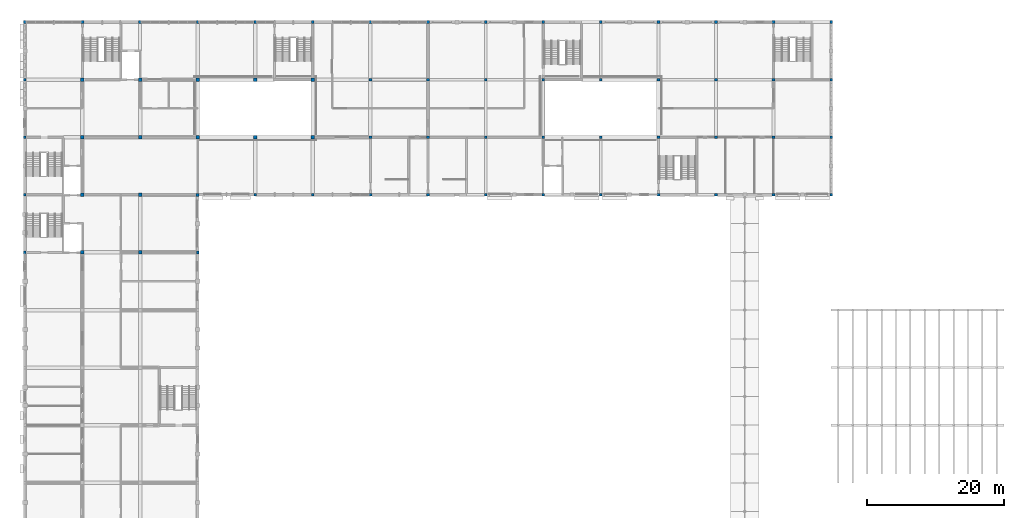
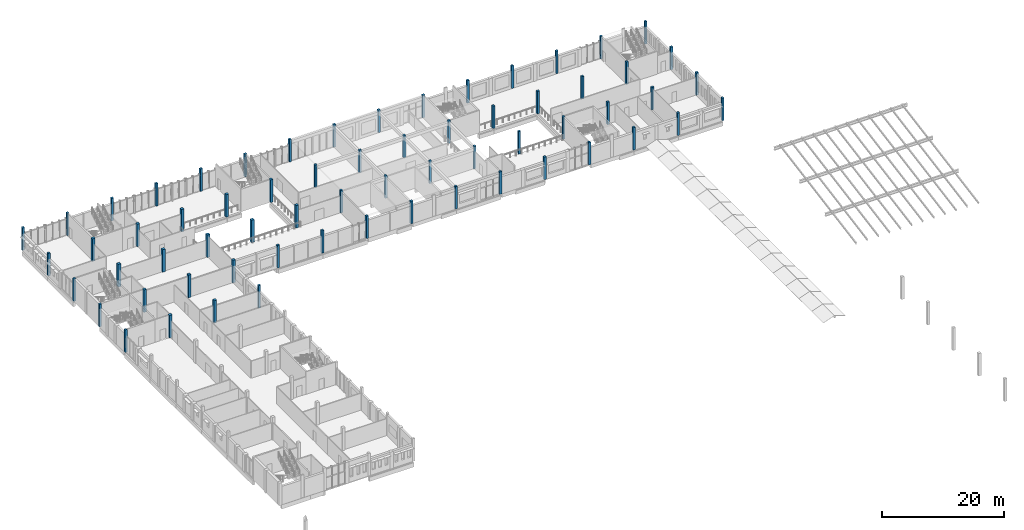
# One storey, part 2 of 38: 64 columns.
"""IFC4 building model written with IfcOpenShell, lengths in metres."""

from ifc_helpers import new_model, si_unit, direction, frame, origin, origin_2d, place, context, subcontext, project, spatial, rectangle, extrude, material, material_profile, profile_set, type_object, element, save


model = new_model("IFC4")

# Units and contexts
model_context = context("Model", 3, precision=1e-05, world=origin(), true_north=direction((0.0, 1.0)))
body_context = subcontext(model_context, "Body", "Model", "MODEL_VIEW")
ifc_project = project(units=[si_unit("LENGTHUNIT", "METRE"), si_unit("AREAUNIT", "SQUARE_METRE"), si_unit("VOLUMEUNIT", "CUBIC_METRE"), si_unit("PLANEANGLEUNIT", "RADIAN"), si_unit("MASSUNIT", "GRAM", prefix="KILO")], contexts=[model_context])

# Site, building, storey
site_placement = place(None, origin())
site = spatial("IfcSite", under=ifc_project, at=site_placement, CompositionType="ELEMENT")
building_placement = place(site_placement, origin())
building = spatial("IfcBuilding", under=site, at=building_placement, Name="Fescue Hill Polytechnic", CompositionType="ELEMENT")
storey_placement = place(building_placement, frame((0.0, 0.0, 18.0)))
storey = spatial("IfcBuildingStorey", under=building, at=storey_placement, Name="L04", CompositionType="ELEMENT", Elevation=18.0)

# Columns
ifc_material = material(Name="Concrete 40 MPa", Category="concrete")
ifc_material_profile_1 = material_profile(ifc_material, rectangle(XDim=0.39990234375, YDim=0.39990234375, at=origin_2d()), Name="RC 400x400")
ifc_profile_set_1 = profile_set([ifc_material_profile_1], Name="Concrete 40 MPa")
column_type_1 = type_object("IfcColumnType", Name="Column RC 400x400", PredefinedType="COLUMN", material=ifc_profile_set_1)
for number, where, z_axis, x_axis, name in (
    (1, (0.0, 100.800048828125, 0.0), (0.0, 0.0, 1.0), (1.0, 0.0, 0.0), "COL-L04-V4-006"),
    (2, (0.0, 109.199951171875, 0.0), (0.0, 0.0, 1.0), (1.0, 0.0, 0.0), "COL-L04-V4-007"),
    (3, (25.199951171875, 100.800048828125, 0.0), (0.0, 0.0, 1.0), (1.0, 0.0, 0.0), "COL-L04-V4-030"),
    (4, (0.0, 117.60009765625, 0.0), (0.0, 0.0, 1.0), (1.0, 0.0, 0.0), "COL-L04-V5-001"),
    (5, (0.0, 126.0, 0.0), (0.0, 0.0, 1.0), (1.0, 0.0, 0.0), "COL-L04-V5-002"),
    (6, (0.0, 134.39990234375, 0.0), (0.0, 0.0, 1.0), (1.0, 0.0, 0.0), "COL-L04-V5-003"),
    (7, (8.39990234375, 134.39990234375, 0.0), (0.0, 0.0, 1.0), (1.0, 0.0, 0.0), "COL-L04-V5-006"),
    (8, (16.800048828125, 134.39990234375, 0.0), (0.0, 0.0, 1.0), (1.0, 0.0, 0.0), "COL-L04-V5-009"),
    (9, (25.199951171875, 134.39990234375, 0.0), (0.0, 0.0, 1.0), (1.0, 0.0, 0.0), "COL-L04-V5-012"),
    (10, (33.60009765625, 109.199951171875, 0.0), (0.0, 0.0, 1.0), (1.0, 0.0, 0.0), "COL-L04-V5-013"),
    (11, (33.60009765625, 134.39990234375, 0.0), (0.0, 0.0, 1.0), (1.0, 0.0, 0.0), "COL-L04-V5-016"),
    (12, (42.0, 109.199951171875, 0.0), (0.0, 0.0, 1.0), (1.0, 0.0, 0.0), "COL-L04-V5-017"),
    (13, (42.0, 134.39990234375, 0.0), (0.0, 0.0, 1.0), (1.0, 0.0, 0.0), "COL-L04-V5-020"),
    (14, (50.39990234375, 109.199951171875, 0.0), (0.0, 0.0, 1.0), (1.0, 0.0, 0.0), "COL-L04-V5-021"),
    (15, (50.39990234375, 117.60009765625, 0.0), (0.0, 0.0, 1.0), (1.0, 0.0, 0.0), "COL-L04-V5-022"),
    (16, (50.39990234375, 126.0, 0.0), (0.0, 0.0, 1.0), (1.0, 0.0, 0.0), "COL-L04-V5-023"),
    (17, (50.39990234375, 134.39990234375, 0.0), (0.0, 0.0, 1.0), (1.0, 0.0, 0.0), "COL-L04-V5-024"),
    (18, (58.800048828125, 109.199951171875, 0.0), (0.0, 0.0, 1.0), (1.0, 0.0, 0.0), "COL-L04-V5-025"),
    (19, (58.800048828125, 117.60009765625, 0.0), (0.0, 0.0, 1.0), (1.0, 0.0, 0.0), "COL-L04-V5-026"),
    (20, (58.800048828125, 126.0, 0.0), (0.0, 0.0, 1.0), (1.0, 0.0, 0.0), "COL-L04-V5-027"),
    (21, (58.800048828125, 134.39990234375, 0.0), (0.0, 0.0, 1.0), (1.0, 0.0, 0.0), "COL-L04-V5-028"),
    (22, (67.199951171875, 109.199951171875, 0.0), (0.0, 0.0, 1.0), (1.0, 0.0, 0.0), "COL-L04-V4b-001"),
    (23, (67.199951171875, 117.60009765625, 0.0), (0.0, 0.0, 1.0), (1.0, 0.0, 0.0), "COL-L04-V4b-002"),
    (24, (67.199951171875, 126.0, 0.0), (0.0, 0.0, 1.0), (1.0, 0.0, 0.0), "COL-L04-V4b-003"),
    (25, (67.199951171875, 134.39990234375, 0.0), (0.0, 0.0, 1.0), (1.0, 0.0, 0.0), "COL-L04-V4b-004"),
    (26, (75.60009765625, 109.199951171875, 0.0), (0.0, 0.0, 1.0), (1.0, 0.0, 0.0), "COL-L04-V4b-005"),
    (27, (75.60009765625, 117.60009765625, 0.0), (0.0, 0.0, 1.0), (1.0, 0.0, 0.0), "COL-L04-V4b-006"),
    (28, (75.60009765625, 126.0, 0.0), (0.0, 0.0, 1.0), (1.0, 0.0, 0.0), "COL-L04-V4b-007"),
    (29, (75.60009765625, 134.39990234375, 0.0), (0.0, 0.0, 1.0), (1.0, 0.0, 0.0), "COL-L04-V4b-008"),
    (30, (84.0, 109.199951171875, 0.0), (0.0, 0.0, 1.0), (1.0, 0.0, 0.0), "COL-L04-V4b-009"),
    (31, (84.0, 117.60009765625, 0.0), (0.0, 0.0, 1.0), (1.0, 0.0, 0.0), "COL-L04-V4b-010"),
    (32, (84.0, 126.0, 0.0), (0.0, 0.0, 1.0), (1.0, 0.0, 0.0), "COL-L04-V4b-011"),
    (33, (84.0, 134.39990234375, 0.0), (0.0, 0.0, 1.0), (1.0, 0.0, 0.0), "COL-L04-V4b-012"),
    (34, (92.39990234375, 109.199951171875, 0.0), (0.0, 0.0, 1.0), (1.0, 0.0, 0.0), "COL-L04-V4b-013"),
    (35, (92.39990234375, 117.60009765625, 0.0), (0.0, 0.0, 1.0), (1.0, 0.0, 0.0), "COL-L04-V4b-014"),
    (36, (92.39990234375, 126.0, 0.0), (0.0, 0.0, 1.0), (1.0, 0.0, 0.0), "COL-L04-V4b-015"),
    (37, (92.39990234375, 134.39990234375, 0.0), (0.0, 0.0, 1.0), (1.0, 0.0, 0.0), "COL-L04-V4b-016"),
    (38, (100.800048828125, 109.199951171875, 0.0), (0.0, 0.0, 1.0), (1.0, 0.0, 0.0), "COL-L04-V4b-017"),
    (39, (100.800048828125, 117.60009765625, 0.0), (0.0, 0.0, 1.0), (1.0, 0.0, 0.0), "COL-L04-V4b-018"),
    (40, (100.800048828125, 126.0, 0.0), (0.0, 0.0, 1.0), (1.0, 0.0, 0.0), "COL-L04-V4b-019"),
    (41, (100.800048828125, 134.39990234375, 0.0), (0.0, 0.0, 1.0), (1.0, 0.0, 0.0), "COL-L04-V4b-020"),
    (42, (109.199951171875, 109.199951171875, 0.0), (0.0, 0.0, 1.0), (1.0, 0.0, 0.0), "COL-L04-V4b-021"),
    (43, (109.199951171875, 117.60009765625, 0.0), (0.0, 0.0, 1.0), (1.0, 0.0, 0.0), "COL-L04-V4b-022"),
    (44, (109.199951171875, 126.0, 0.0), (0.0, 0.0, 1.0), (1.0, 0.0, 0.0), "COL-L04-V4b-023"),
    (45, (109.199951171875, 134.39990234375, 0.0), (0.0, 0.0, 1.0), (1.0, 0.0, 0.0), "COL-L04-V4b-024"),
    (46, (117.60009765625, 109.199951171875, 0.0), (0.0, 0.0, 1.0), (1.0, 0.0, 0.0), "COL-L04-V4b-025"),
    (47, (117.60009765625, 117.60009765625, 0.0), (0.0, 0.0, 1.0), (1.0, 0.0, 0.0), "COL-L04-V4b-026"),
    (48, (117.60009765625, 126.0, 0.0), (0.0, 0.0, 1.0), (1.0, 0.0, 0.0), "COL-L04-V4b-027"),
    (49, (117.60009765625, 134.39990234375, 0.0), (0.0, 0.0, 1.0), (1.0, 0.0, 0.0), "COL-L04-V4b-028"),
):
    element("IfcColumn", number, at=place(storey_placement, frame(where, z_axis=z_axis, x_axis=x_axis)), inside=storey, type_object=column_type_1, Name=name, PredefinedType="COLUMN", context=body_context, shape_type="SweptSolid", body=[
        extrude(rectangle(XDim=0.39990234375, YDim=0.39990234375, at=origin_2d()), origin(), (0.0, 0.0, 1.0), 4.5),
    ])
ifc_material_profile_2 = material_profile(ifc_material, rectangle(XDim=0.449951171875, YDim=0.449951171875, at=origin_2d()), Name="RC 450x450")
ifc_profile_set_2 = profile_set([ifc_material_profile_2], Name="Concrete 40 MPa")
column_type_2 = type_object("IfcColumnType", Name="Column RC 450x450", PredefinedType="COLUMN", material=ifc_profile_set_2)
column_placement = place(storey_placement, frame((25.199951171875, 109.199951171875, 0.0), z_axis=(0.0, 0.0, 1.0), x_axis=(1.0, 0.0, 0.0)))
element("IfcColumn", 50, at=column_placement, inside=storey, type_object=column_type_2, Name="COL-L04-V4-031", PredefinedType="COLUMN", context=body_context, shape_type="SweptSolid", body=[
    extrude(rectangle(XDim=0.449951171875, YDim=0.449951171875, at=origin_2d()), origin(), (0.0, 0.0, 1.0), 4.5),
])
ifc_material_profile_3 = material_profile(ifc_material, rectangle(XDim=0.5, YDim=0.5, at=origin_2d()), Name="RC 500x500")
ifc_profile_set_3 = profile_set([ifc_material_profile_3], Name="Concrete 40 MPa")
column_type_3 = type_object("IfcColumnType", Name="Column RC 500x500", PredefinedType="COLUMN", material=ifc_profile_set_3)
for number, where, z_axis, x_axis, name in (
    (51, (8.39990234375, 100.800048828125, 0.0), (0.0, 0.0, 1.0), (1.0, 0.0, 0.0), "COL-L04-V4-014"),
    (52, (8.39990234375, 109.199951171875, 0.0), (0.0, 0.0, 1.0), (1.0, 0.0, 0.0), "COL-L04-V4-015"),
    (53, (16.800048828125, 100.800048828125, 0.0), (0.0, 0.0, 1.0), (1.0, 0.0, 0.0), "COL-L04-V4-022"),
    (54, (16.800048828125, 109.199951171875, 0.0), (0.0, 0.0, 1.0), (1.0, 0.0, 0.0), "COL-L04-V4-023"),
    (55, (8.39990234375, 117.60009765625, 0.0), (0.0, 0.0, 1.0), (1.0, 0.0, 0.0), "COL-L04-V5-004"),
    (56, (8.39990234375, 126.0, 0.0), (0.0, 0.0, 1.0), (1.0, 0.0, 0.0), "COL-L04-V5-005"),
    (57, (16.800048828125, 117.60009765625, 0.0), (0.0, 0.0, 1.0), (1.0, 0.0, 0.0), "COL-L04-V5-007"),
    (58, (16.800048828125, 126.0, 0.0), (0.0, 0.0, 1.0), (1.0, 0.0, 0.0), "COL-L04-V5-008"),
    (59, (25.199951171875, 117.60009765625, 0.0), (0.0, 0.0, 1.0), (1.0, 0.0, 0.0), "COL-L04-V5-010"),
    (60, (25.199951171875, 126.0, 0.0), (0.0, 0.0, 1.0), (1.0, 0.0, 0.0), "COL-L04-V5-011"),
    (61, (33.60009765625, 117.60009765625, 0.0), (0.0, 0.0, 1.0), (1.0, 0.0, 0.0), "COL-L04-V5-014"),
    (62, (33.60009765625, 126.0, 0.0), (0.0, 0.0, 1.0), (1.0, 0.0, 0.0), "COL-L04-V5-015"),
    (63, (42.0, 117.60009765625, 0.0), (0.0, 0.0, 1.0), (1.0, 0.0, 0.0), "COL-L04-V5-018"),
    (64, (42.0, 126.0, 0.0), (0.0, 0.0, 1.0), (1.0, 0.0, 0.0), "COL-L04-V5-019"),
):
    element("IfcColumn", number, at=place(storey_placement, frame(where, z_axis=z_axis, x_axis=x_axis)), inside=storey, type_object=column_type_3, Name=name, PredefinedType="COLUMN", context=body_context, shape_type="SweptSolid", body=[
        extrude(rectangle(XDim=0.5, YDim=0.5, at=origin_2d()), origin(), (0.0, 0.0, 1.0), 4.5),
    ])

save(model, "model.ifc")
